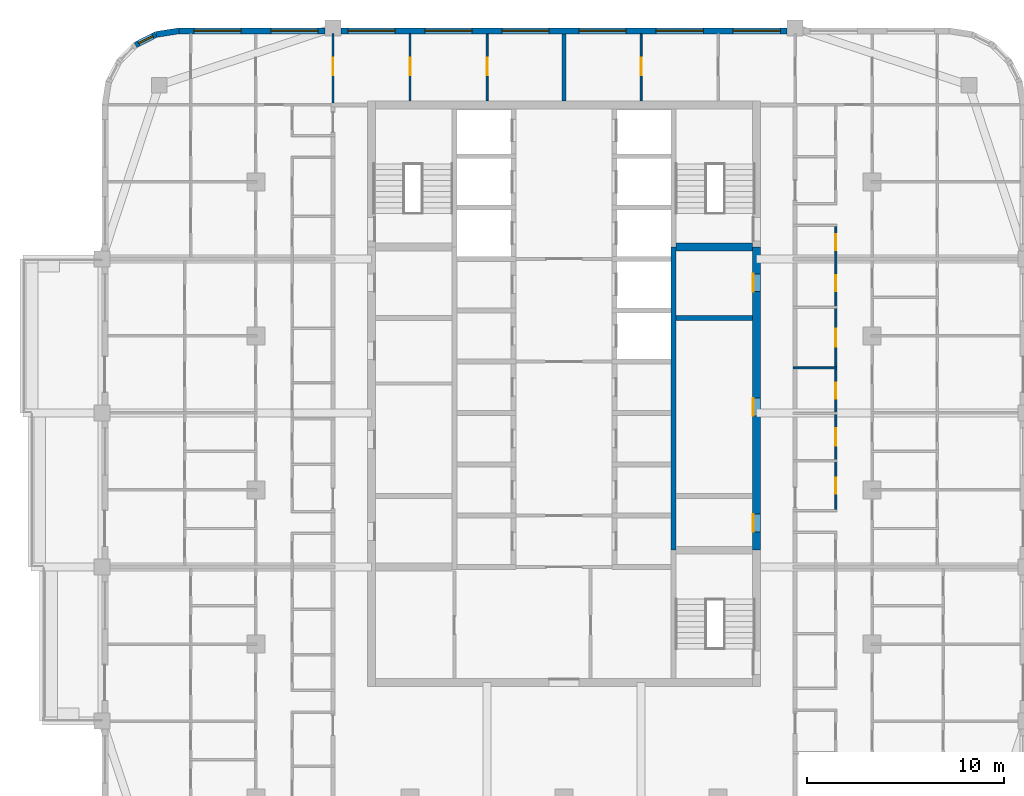
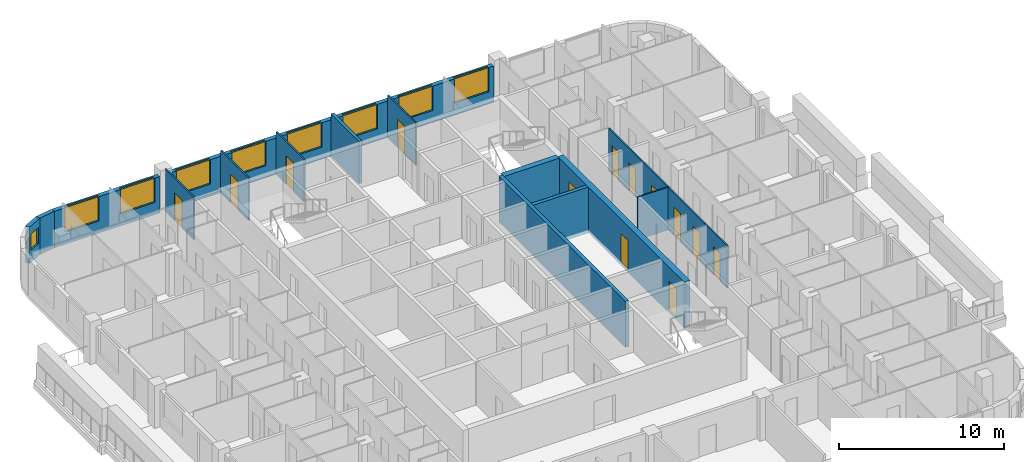
# One storey, part 10 of 16: 15 walls, 13 doors, 9 windows, 22 openings.
"""IFC4 building model written with IfcOpenShell, lengths in metres."""

from ifc_helpers import new_model, si_unit, direction, frame, frame_2d, origin, place, context, subcontext, project, spatial, rectangle, extrude, material, layer, layer_set, type_object, element, fill, save


model = new_model("IFC4")

# Units and contexts
model_context = context("Model", 3, precision=1e-05, world=origin(), true_north=direction((0.0, 1.0)))
body_context = subcontext(model_context, "Body", "Model", "MODEL_VIEW")
ifc_project = project(units=[si_unit("LENGTHUNIT", "METRE"), si_unit("AREAUNIT", "SQUARE_METRE"), si_unit("VOLUMEUNIT", "CUBIC_METRE"), si_unit("PLANEANGLEUNIT", "RADIAN"), si_unit("MASSUNIT", "GRAM", prefix="KILO")], contexts=[model_context])

# Site, building, storey
site_placement = place(None, origin())
site = spatial("IfcSite", under=ifc_project, at=site_placement, CompositionType="ELEMENT")
building_placement = place(site_placement, origin())
building = spatial("IfcBuilding", under=site, at=building_placement, Name="Ludao Terraces", CompositionType="ELEMENT")
storey_placement = place(building_placement, frame((0.0, 0.0, 234.699951171875)))
storey = spatial("IfcBuildingStorey", under=building, at=storey_placement, Name="L64", CompositionType="ELEMENT", Elevation=234.699951171875)

# Wall, openings, doors
ifc_material_1 = material(Name="Concrete C50", Category="concrete")
ifc_layer_1 = layer(ifc_material_1, 0.39990234375)
ifc_layer_set_1 = layer_set([ifc_layer_1], Name="Core wall 400 C50")
wall_type_1 = type_object("IfcWallType", Name="Core wall 400 C50", PredefinedType="SOLIDWALL", material=ifc_layer_set_1)
wall_1_placement = place(storey_placement, frame((94.75, 61.949951171875, -0.25), z_axis=(0.0, 0.0, 1.0), x_axis=(0.0, 1.0, 0.0)))
wall_1 = element("IfcWall", 1, at=wall_1_placement, inside=storey, type_object=wall_type_1, Name="Core wall L64 outer-E", PredefinedType="SOLIDWALL", context=body_context, shape_type="SweptSolid", body=[
    extrude(rectangle(XDim=15.35009765625, YDim=0.39990234375, at=frame_2d((7.675048828125, 0.0))), origin(), (0.0, 0.0, 1.0), 3.400146484375),
])
opening_1_placement = place(wall_1_placement, frame((0.925048828125, 0.0, 0.25)))
opening_1 = element("IfcOpeningElement", 2, at=opening_1_placement, cuts=wall_1, Name="Opening R23-059", PredefinedType="OPENING", context=body_context, shape_type="SweptSolid", body=[
    extrude(rectangle(XDim=0.89990234375, YDim=2.10009765625, at=frame_2d((0.449951171875, 1.050048828125))), frame((0.0, 0.2099609375, 0.0), z_axis=(0.0, -1.0, 0.0), x_axis=(1.0, 0.0, 0.0)), (0.0, 0.0, 1.0), 0.419921875),
])
opening_2_placement = place(wall_1_placement, frame((6.800048828125, 0.0, 0.25)))
opening_2 = element("IfcOpeningElement", 3, at=opening_2_placement, cuts=wall_1, Name="Opening R23-082", PredefinedType="OPENING", context=body_context, shape_type="SweptSolid", body=[
    extrude(rectangle(XDim=0.89990234375, YDim=2.10009765625, at=frame_2d((0.449951171875, 1.050048828125))), frame((0.0, 0.2099609375, 0.0), z_axis=(0.0, -1.0, 0.0), x_axis=(1.0, 0.0, 0.0)), (0.0, 0.0, 1.0), 0.419921875),
])
opening_3_placement = place(wall_1_placement, frame((13.10009765625, 0.0, 0.25)))
opening_3 = element("IfcOpeningElement", 4, at=opening_3_placement, cuts=wall_1, Name="Opening R23-105", PredefinedType="OPENING", context=body_context, shape_type="SweptSolid", body=[
    extrude(rectangle(XDim=0.89990234375, YDim=2.10009765625, at=frame_2d((0.449951171875, 1.050048828125))), frame((0.0, 0.2099609375, 0.0), z_axis=(0.0, -1.0, 0.0), x_axis=(1.0, 0.0, 0.0)), (0.0, 0.0, 1.0), 0.419921875),
])
ifc_material_2 = material(Name="Steel Q235", Category="steel")
door_type_1 = type_object("IfcDoorType", Name="INT Riser door 900", OperationType="SINGLE_SWING_LEFT", PredefinedType="DOOR", material=ifc_material_2)
door_1_placement = place(opening_1_placement, origin())
door_1 = element("IfcDoor", 5, at=door_1_placement, inside=storey, type_object=door_type_1, Name="DOOR 059", OperationType="SINGLE_SWING_LEFT", OverallHeight=2.10009765625, OverallWidth=0.89990234375, PredefinedType="DOOR", context=body_context, shape_type="SweptSolid", body=[
    extrude(rectangle(XDim=0.89990234375, YDim=2.10009765625, at=frame_2d((0.449951171875, 1.050048828125))), frame((0.0, 0.18505859375, 0.0), z_axis=(0.0, -1.0, 0.0), x_axis=(1.0, 0.0, 0.0)), (0.0, 0.0, 1.0), 0.050048828125),
])
fill(opening_1, door_1)
door_2_placement = place(opening_3_placement, origin())
door_2 = element("IfcDoor", 6, at=door_2_placement, inside=storey, type_object=door_type_1, Name="DOOR 105", OperationType="SINGLE_SWING_RIGHT", OverallHeight=2.10009765625, OverallWidth=0.89990234375, PredefinedType="DOOR", context=body_context, shape_type="SweptSolid", body=[
    extrude(rectangle(XDim=0.89990234375, YDim=2.10009765625, at=frame_2d((0.449951171875, 1.050048828125))), frame((0.0, 0.18505859375, 0.0), z_axis=(0.0, -1.0, 0.0), x_axis=(1.0, 0.0, 0.0)), (0.0, 0.0, 1.0), 0.050048828125),
])
fill(opening_3, door_2)
ifc_material_3 = material(Name="Timber door leaf", Category="wood")
door_type_2 = type_object("IfcDoorType", Name="INT Room door 900", OperationType="SINGLE_SWING_LEFT", PredefinedType="DOOR", material=ifc_material_3)
door_3_placement = place(opening_2_placement, origin())
door_3 = element("IfcDoor", 7, at=door_3_placement, inside=storey, type_object=door_type_2, Name="DOOR 082", OperationType="SINGLE_SWING_LEFT", OverallHeight=2.10009765625, OverallWidth=0.89990234375, PredefinedType="DOOR", context=body_context, shape_type="SweptSolid", body=[
    extrude(rectangle(XDim=0.89990234375, YDim=2.10009765625, at=frame_2d((0.449951171875, 1.050048828125))), frame((0.0, 0.18505859375, 0.0), z_axis=(0.0, -1.0, 0.0), x_axis=(1.0, 0.0, 0.0)), (0.0, 0.0, 1.0), 0.050048828125),
])
fill(opening_2, door_3)

# Wall, openings, windows
ifc_material_4 = material(Name="Granite cladding", Category="masonry")
ifc_layer_2 = layer(ifc_material_4, 0.0400390625, Category="stone")
ifc_material_5 = material(Name="Mineral wool")
ifc_layer_3 = layer(ifc_material_5, 0.06005859375)
ifc_material_6 = material(Name="Concrete C40", Category="concrete")
ifc_layer_4 = layer(ifc_material_6, 0.199951171875, Category="concrete")
ifc_layer_set_2 = layer_set([ifc_layer_2, ifc_layer_3, ifc_layer_4], Name="ENV Stone-clad wall 300")
wall_type_2 = type_object("IfcWallType", Name="ENV Stone-clad wall 300", PredefinedType="SOLIDWALL", material=ifc_layer_set_2)
wall_2_placement = place(storey_placement, frame((65.5, 88.25, 0.0), z_axis=(0.0, 0.0, 1.0), x_axis=(1.0, 0.0, 0.0)))
wall_2 = element("IfcWall", 8, at=wall_2_placement, inside=storey, type_object=wall_type_2, Name="EW-L64-N1", PredefinedType="SOLIDWALL", context=body_context, shape_type="SweptSolid", body=[
    extrude(rectangle(XDim=7.39990234375, YDim=0.300048828125, at=frame_2d((3.699951171875, 0.0))), origin(), (0.0, 0.0, 1.0), 2.699951171875),
])
opening_4_placement = place(wall_2_placement, frame((0.75, 0.0, 0.89990234375)))
opening_4 = element("IfcOpeningElement", 9, at=opening_4_placement, cuts=wall_2, Name="Opening W1", PredefinedType="OPENING", context=body_context, shape_type="SweptSolid", body=[
    extrude(rectangle(XDim=2.39990234375, YDim=1.800048828125, at=frame_2d((1.199951171875, 0.89990234375))), frame((0.0, 0.16015625, 0.0), z_axis=(0.0, -1.0, 0.0), x_axis=(1.0, 0.0, 0.0)), (0.0, 0.0, 1.0), 0.320068359375),
])
opening_5_placement = place(wall_2_placement, frame((4.64990234375, 0.0, 0.89990234375)))
opening_5 = element("IfcOpeningElement", 10, at=opening_5_placement, cuts=wall_2, Name="Opening W1", PredefinedType="OPENING", context=body_context, shape_type="SweptSolid", body=[
    extrude(rectangle(XDim=2.39990234375, YDim=1.800048828125, at=frame_2d((1.199951171875, 0.89990234375))), frame((0.0, 0.16015625, 0.0), z_axis=(0.0, -1.0, 0.0), x_axis=(1.0, 0.0, 0.0)), (0.0, 0.0, 1.0), 0.320068359375),
])
ifc_material_7 = material(Name="Clear glass in aluminium frame", Category="aluminium")
ifc_layer_5 = layer(ifc_material_7, 0.06005859375)
ifc_layer_set_3 = layer_set([ifc_layer_5], Name="ENV Window W1 2400x1800")
window_type_1 = type_object("IfcWindowType", Name="ENV Window W1 2400x1800", PartitioningType="DOUBLE_PANEL_VERTICAL", PredefinedType="WINDOW", material=ifc_layer_set_3)
window_1_placement = place(opening_4_placement, origin())
window_1 = element("IfcWindow", 11, at=window_1_placement, inside=storey, type_object=window_type_1, Name="W-L64-N1-1", OverallHeight=1.800048828125, OverallWidth=2.39990234375, PartitioningType="DOUBLE_PANEL_VERTICAL", PredefinedType="WINDOW", context=body_context, shape_type="SweptSolid", body=[
    extrude(rectangle(XDim=2.39990234375, YDim=1.800048828125, at=frame_2d((1.199951171875, 0.89990234375))), frame((0.0, 0.030029296875, 0.0), z_axis=(0.0, -1.0, 0.0), x_axis=(1.0, 0.0, 0.0)), (0.0, 0.0, 1.0), 0.06005859375),
])
fill(opening_4, window_1)
window_2_placement = place(opening_5_placement, origin())
window_2 = element("IfcWindow", 12, at=window_2_placement, inside=storey, type_object=window_type_1, Name="W-L64-N1-2", OverallHeight=1.800048828125, OverallWidth=2.39990234375, PartitioningType="DOUBLE_PANEL_VERTICAL", PredefinedType="WINDOW", context=body_context, shape_type="SweptSolid", body=[
    extrude(rectangle(XDim=2.39990234375, YDim=1.800048828125, at=frame_2d((1.199951171875, 0.89990234375))), frame((0.0, 0.030029296875, 0.0), z_axis=(0.0, -1.0, 0.0), x_axis=(1.0, 0.0, 0.0)), (0.0, 0.0, 1.0), 0.06005859375),
])
fill(opening_5, window_2)

wall_3_placement = place(storey_placement, frame((73.699951171875, 88.25, 0.0), z_axis=(0.0, 0.0, 1.0), x_axis=(1.0, 0.0, 0.0)))
wall_3 = element("IfcWall", 13, at=wall_3_placement, inside=storey, type_object=wall_type_2, Name="EW-L64-N2", PredefinedType="SOLIDWALL", context=body_context, shape_type="SweptSolid", body=[
    extrude(rectangle(XDim=22.60009765625, YDim=0.300048828125, at=frame_2d((11.300048828125, 0.0))), origin(), (0.0, 0.0, 1.0), 2.699951171875),
])
opening_6_placement = place(wall_3_placement, frame((0.35009765625, 0.0, 0.89990234375)))
opening_6 = element("IfcOpeningElement", 14, at=opening_6_placement, cuts=wall_3, Name="Opening W1", PredefinedType="OPENING", context=body_context, shape_type="SweptSolid", body=[
    extrude(rectangle(XDim=2.39990234375, YDim=1.800048828125, at=frame_2d((1.199951171875, 0.89990234375))), frame((0.0, 0.16015625, 0.0), z_axis=(0.0, -1.0, 0.0), x_axis=(1.0, 0.0, 0.0)), (0.0, 0.0, 1.0), 0.320068359375),
])
opening_7_placement = place(wall_3_placement, frame((4.25, 0.0, 0.89990234375)))
opening_7 = element("IfcOpeningElement", 15, at=opening_7_placement, cuts=wall_3, Name="Opening W1", PredefinedType="OPENING", context=body_context, shape_type="SweptSolid", body=[
    extrude(rectangle(XDim=2.39990234375, YDim=1.800048828125, at=frame_2d((1.199951171875, 0.89990234375))), frame((0.0, 0.16015625, 0.0), z_axis=(0.0, -1.0, 0.0), x_axis=(1.0, 0.0, 0.0)), (0.0, 0.0, 1.0), 0.320068359375),
])
opening_8_placement = place(wall_3_placement, frame((8.14990234375, 0.0, 0.89990234375)))
opening_8 = element("IfcOpeningElement", 16, at=opening_8_placement, cuts=wall_3, Name="Opening W1", PredefinedType="OPENING", context=body_context, shape_type="SweptSolid", body=[
    extrude(rectangle(XDim=2.39990234375, YDim=1.800048828125, at=frame_2d((1.199951171875, 0.89990234375))), frame((0.0, 0.16015625, 0.0), z_axis=(0.0, -1.0, 0.0), x_axis=(1.0, 0.0, 0.0)), (0.0, 0.0, 1.0), 0.320068359375),
])
opening_9_placement = place(wall_3_placement, frame((12.050048828125, 0.0, 0.89990234375)))
opening_9 = element("IfcOpeningElement", 17, at=opening_9_placement, cuts=wall_3, Name="Opening W1", PredefinedType="OPENING", context=body_context, shape_type="SweptSolid", body=[
    extrude(rectangle(XDim=2.39990234375, YDim=1.800048828125, at=frame_2d((1.199951171875, 0.89990234375))), frame((0.0, 0.16015625, 0.0), z_axis=(0.0, -1.0, 0.0), x_axis=(1.0, 0.0, 0.0)), (0.0, 0.0, 1.0), 0.320068359375),
])
opening_10_placement = place(wall_3_placement, frame((15.949951171875, 0.0, 0.89990234375)))
opening_10 = element("IfcOpeningElement", 18, at=opening_10_placement, cuts=wall_3, Name="Opening W1", PredefinedType="OPENING", context=body_context, shape_type="SweptSolid", body=[
    extrude(rectangle(XDim=2.39990234375, YDim=1.800048828125, at=frame_2d((1.199951171875, 0.89990234375))), frame((0.0, 0.16015625, 0.0), z_axis=(0.0, -1.0, 0.0), x_axis=(1.0, 0.0, 0.0)), (0.0, 0.0, 1.0), 0.320068359375),
])
opening_11_placement = place(wall_3_placement, frame((19.85009765625, 0.0, 0.89990234375)))
opening_11 = element("IfcOpeningElement", 19, at=opening_11_placement, cuts=wall_3, Name="Opening W1", PredefinedType="OPENING", context=body_context, shape_type="SweptSolid", body=[
    extrude(rectangle(XDim=2.39990234375, YDim=1.800048828125, at=frame_2d((1.199951171875, 0.89990234375))), frame((0.0, 0.16015625, 0.0), z_axis=(0.0, -1.0, 0.0), x_axis=(1.0, 0.0, 0.0)), (0.0, 0.0, 1.0), 0.320068359375),
])
window_3_placement = place(opening_6_placement, origin())
window_3 = element("IfcWindow", 20, at=window_3_placement, inside=storey, type_object=window_type_1, Name="W-L64-N2-1", OverallHeight=1.800048828125, OverallWidth=2.39990234375, PartitioningType="DOUBLE_PANEL_VERTICAL", PredefinedType="WINDOW", context=body_context, shape_type="SweptSolid", body=[
    extrude(rectangle(XDim=2.39990234375, YDim=1.800048828125, at=frame_2d((1.199951171875, 0.89990234375))), frame((0.0, 0.030029296875, 0.0), z_axis=(0.0, -1.0, 0.0), x_axis=(1.0, 0.0, 0.0)), (0.0, 0.0, 1.0), 0.06005859375),
])
fill(opening_6, window_3)
window_4_placement = place(opening_7_placement, origin())
window_4 = element("IfcWindow", 21, at=window_4_placement, inside=storey, type_object=window_type_1, Name="W-L64-N2-2", OverallHeight=1.800048828125, OverallWidth=2.39990234375, PartitioningType="DOUBLE_PANEL_VERTICAL", PredefinedType="WINDOW", context=body_context, shape_type="SweptSolid", body=[
    extrude(rectangle(XDim=2.39990234375, YDim=1.800048828125, at=frame_2d((1.199951171875, 0.89990234375))), frame((0.0, 0.030029296875, 0.0), z_axis=(0.0, -1.0, 0.0), x_axis=(1.0, 0.0, 0.0)), (0.0, 0.0, 1.0), 0.06005859375),
])
fill(opening_7, window_4)
window_5_placement = place(opening_8_placement, origin())
window_5 = element("IfcWindow", 22, at=window_5_placement, inside=storey, type_object=window_type_1, Name="W-L64-N2-3", OverallHeight=1.800048828125, OverallWidth=2.39990234375, PartitioningType="DOUBLE_PANEL_VERTICAL", PredefinedType="WINDOW", context=body_context, shape_type="SweptSolid", body=[
    extrude(rectangle(XDim=2.39990234375, YDim=1.800048828125, at=frame_2d((1.199951171875, 0.89990234375))), frame((0.0, 0.030029296875, 0.0), z_axis=(0.0, -1.0, 0.0), x_axis=(1.0, 0.0, 0.0)), (0.0, 0.0, 1.0), 0.06005859375),
])
fill(opening_8, window_5)
window_6_placement = place(opening_9_placement, origin())
window_6 = element("IfcWindow", 23, at=window_6_placement, inside=storey, type_object=window_type_1, Name="W-L64-N2-4", OverallHeight=1.800048828125, OverallWidth=2.39990234375, PartitioningType="DOUBLE_PANEL_VERTICAL", PredefinedType="WINDOW", context=body_context, shape_type="SweptSolid", body=[
    extrude(rectangle(XDim=2.39990234375, YDim=1.800048828125, at=frame_2d((1.199951171875, 0.89990234375))), frame((0.0, 0.030029296875, 0.0), z_axis=(0.0, -1.0, 0.0), x_axis=(1.0, 0.0, 0.0)), (0.0, 0.0, 1.0), 0.06005859375),
])
fill(opening_9, window_6)
window_7_placement = place(opening_10_placement, origin())
window_7 = element("IfcWindow", 24, at=window_7_placement, inside=storey, type_object=window_type_1, Name="W-L64-N2-5", OverallHeight=1.800048828125, OverallWidth=2.39990234375, PartitioningType="DOUBLE_PANEL_VERTICAL", PredefinedType="WINDOW", context=body_context, shape_type="SweptSolid", body=[
    extrude(rectangle(XDim=2.39990234375, YDim=1.800048828125, at=frame_2d((1.199951171875, 0.89990234375))), frame((0.0, 0.030029296875, 0.0), z_axis=(0.0, -1.0, 0.0), x_axis=(1.0, 0.0, 0.0)), (0.0, 0.0, 1.0), 0.06005859375),
])
fill(opening_10, window_7)
window_8_placement = place(opening_11_placement, origin())
window_8 = element("IfcWindow", 25, at=window_8_placement, inside=storey, type_object=window_type_1, Name="W-L64-N2-6", OverallHeight=1.800048828125, OverallWidth=2.39990234375, PartitioningType="DOUBLE_PANEL_VERTICAL", PredefinedType="WINDOW", context=body_context, shape_type="SweptSolid", body=[
    extrude(rectangle(XDim=2.39990234375, YDim=1.800048828125, at=frame_2d((1.199951171875, 0.89990234375))), frame((0.0, 0.030029296875, 0.0), z_axis=(0.0, -1.0, 0.0), x_axis=(1.0, 0.0, 0.0)), (0.0, 0.0, 1.0), 0.06005859375),
])
fill(opening_11, window_8)

# Wall
wall_4_placement = place(storey_placement, frame((65.5, 88.25, 0.0), z_axis=(0.0, 0.0, 1.0), x_axis=(-0.987678452879, -0.156496880861, 0.0)))
element("IfcWall", 26, at=wall_4_placement, inside=storey, type_object=wall_type_2, Name="EW-L64-NW1", PredefinedType="SOLIDWALL", context=body_context, shape_type="SweptSolid", body=[
    extrude(rectangle(XDim=1.173095703125, YDim=0.300048828125, at=frame_2d((0.58642578125, 0.0))), origin(), (0.0, 0.0, 1.0), 2.699951171875),
])

# Wall, opening, window
wall_5_placement = place(storey_placement, frame((64.34130859375, 88.06640625, 0.0), z_axis=(0.0, 0.0, 1.0), x_axis=(-0.890988677504, -0.454025524128, 0.0)))
wall_5 = element("IfcWall", 27, at=wall_5_placement, inside=storey, type_object=wall_type_2, Name="EW-L64-NW2", PredefinedType="SOLIDWALL", context=body_context, shape_type="SweptSolid", body=[
    extrude(rectangle(XDim=1.17333984375, YDim=0.300048828125, at=frame_2d((0.586669921875, 0.0))), origin(), (0.0, 0.0, 1.0), 2.699951171875),
])
opening_12_placement = place(wall_5_placement, frame((0.1865234375, 0.0, 0.89990234375)))
opening_12 = element("IfcOpeningElement", 28, at=opening_12_placement, cuts=wall_5, Name="Opening W3", PredefinedType="OPENING", context=body_context, shape_type="SweptSolid", body=[
    extrude(rectangle(XDim=0.800048828125, YDim=1.199951171875, at=frame_2d((0.39990234375, 0.60009765625))), frame((0.0, 0.16015625, 0.0), z_axis=(0.0, -1.0, 0.0), x_axis=(1.0, 0.0, 0.0)), (0.0, 0.0, 1.0), 0.320068359375),
])
ifc_layer_6 = layer(ifc_material_7, 0.06005859375)
ifc_layer_set_4 = layer_set([ifc_layer_6], Name="ENV Window W3 800x1200")
window_type_2 = type_object("IfcWindowType", Name="ENV Window W3 800x1200", PartitioningType="SINGLE_PANEL", PredefinedType="WINDOW", material=ifc_layer_set_4)
window_9_placement = place(opening_12_placement, origin())
window_9 = element("IfcWindow", 29, at=window_9_placement, inside=storey, type_object=window_type_2, Name="W-L64-NW2", OverallHeight=1.199951171875, OverallWidth=0.800048828125, PartitioningType="SINGLE_PANEL", PredefinedType="WINDOW", context=body_context, shape_type="SweptSolid", body=[
    extrude(rectangle(XDim=0.800048828125, YDim=1.199951171875, at=frame_2d((0.39990234375, 0.60009765625))), frame((0.0, 0.030029296875, 0.0), z_axis=(0.0, -1.0, 0.0), x_axis=(1.0, 0.0, 0.0)), (0.0, 0.0, 1.0), 0.06005859375),
])
fill(opening_12, window_9)

# Wall
ifc_material_8 = material(Name="Gypsum plasterboard", Category="gypsum")
ifc_layer_7 = layer(ifc_material_8, 0.012451171875, Category="gypsum")
ifc_layer_8 = layer(ifc_material_5, 0.06005859375, Name="insulation")
ifc_layer_9 = layer(ifc_material_2, 0.014892578125, Name="stud")
ifc_layer_10 = layer(ifc_material_8, 0.012451171875, Category="gypsum")
ifc_layer_set_5 = layer_set([ifc_layer_7, ifc_layer_8, ifc_layer_9, ifc_layer_10], Name="INT Partition 100")
wall_type_3 = type_object("IfcWallType", Name="INT Partition 100", PredefinedType="PARTITIONING", material=ifc_layer_set_5)
wall_6_placement = place(storey_placement, frame((96.60009765625, 71.179931640625, 0.0), z_axis=(0.0, 0.0, 1.0), x_axis=(1.0, 0.0, 0.0)))
element("IfcWall", 30, at=wall_6_placement, inside=storey, type_object=wall_type_3, Name="PW-L64-PW049", PredefinedType="PARTITIONING", context=body_context, shape_type="SweptSolid", body=[
    extrude(rectangle(XDim=2.219970703125, YDim=0.10009765625, at=frame_2d((1.10986328125, 0.0))), origin(), (0.0, 0.0, 1.0), 3.150146484375),
])

# Wall, opening, door
wall_7_placement = place(storey_placement, frame((73.300048828125, 84.60009765625, 0.0), z_axis=(0.0, 0.0, 1.0), x_axis=(0.0, 1.0, 0.0)))
wall_7 = element("IfcWall", 31, at=wall_7_placement, inside=storey, type_object=wall_type_3, Name="PW-L64-PW081", PredefinedType="PARTITIONING", context=body_context, shape_type="SweptSolid", body=[
    extrude(rectangle(XDim=3.5, YDim=0.10009765625, at=frame_2d((1.75, 0.0))), origin(), (0.0, 0.0, 1.0), 3.150146484375),
])
opening_13_placement = place(wall_7_placement, frame((1.39990234375, 0.0, 0.0)))
opening_13 = element("IfcOpeningElement", 32, at=opening_13_placement, cuts=wall_7, Name="Opening R23-137", PredefinedType="OPENING", context=body_context, shape_type="SweptSolid", body=[
    extrude(rectangle(XDim=0.89990234375, YDim=2.10009765625, at=frame_2d((0.449951171875, 1.050048828125))), frame((0.0, 0.06005859375, 0.0), z_axis=(0.0, -1.0, 0.0), x_axis=(1.0, 0.0, 0.0)), (0.0, 0.0, 1.0), 0.1201171875),
])
door_4_placement = place(opening_13_placement, origin())
door_4 = element("IfcDoor", 33, at=door_4_placement, inside=storey, type_object=door_type_2, Name="DOOR 137", OperationType="SINGLE_SWING_LEFT", OverallHeight=2.10009765625, OverallWidth=0.89990234375, PredefinedType="DOOR", context=body_context, shape_type="SweptSolid", body=[
    extrude(rectangle(XDim=0.89990234375, YDim=2.10009765625, at=frame_2d((0.449951171875, 1.050048828125))), frame((0.0, 0.02490234375, 0.0), z_axis=(0.0, -1.0, 0.0), x_axis=(1.0, 0.0, 0.0)), (0.0, 0.0, 1.0), 0.050048828125),
])
fill(opening_13, door_4)

wall_8_placement = place(storey_placement, frame((77.199951171875, 84.7001953125, 0.0), z_axis=(0.0, 0.0, 1.0), x_axis=(0.0, 1.0, 0.0)))
wall_8 = element("IfcWall", 34, at=wall_8_placement, inside=storey, type_object=wall_type_3, Name="PW-L64-PW082", PredefinedType="PARTITIONING", context=body_context, shape_type="SweptSolid", body=[
    extrude(rectangle(XDim=3.39990234375, YDim=0.10009765625, at=frame_2d((1.699951171875, 0.0))), origin(), (0.0, 0.0, 1.0), 3.150146484375),
])
opening_14_placement = place(wall_8_placement, frame((1.2998046875, 0.0, 0.0)))
opening_14 = element("IfcOpeningElement", 35, at=opening_14_placement, cuts=wall_8, Name="Opening R23-138", PredefinedType="OPENING", context=body_context, shape_type="SweptSolid", body=[
    extrude(rectangle(XDim=0.89990234375, YDim=2.10009765625, at=frame_2d((0.449951171875, 1.050048828125))), frame((0.0, 0.06005859375, 0.0), z_axis=(0.0, -1.0, 0.0), x_axis=(1.0, 0.0, 0.0)), (0.0, 0.0, 1.0), 0.1201171875),
])
door_5_placement = place(opening_14_placement, origin())
door_5 = element("IfcDoor", 36, at=door_5_placement, inside=storey, type_object=door_type_2, Name="DOOR 138", OperationType="SINGLE_SWING_LEFT", OverallHeight=2.10009765625, OverallWidth=0.89990234375, PredefinedType="DOOR", context=body_context, shape_type="SweptSolid", body=[
    extrude(rectangle(XDim=0.89990234375, YDim=2.10009765625, at=frame_2d((0.449951171875, 1.050048828125))), frame((0.0, 0.02490234375, 0.0), z_axis=(0.0, -1.0, 0.0), x_axis=(1.0, 0.0, 0.0)), (0.0, 0.0, 1.0), 0.050048828125),
])
fill(opening_14, door_5)

wall_9_placement = place(storey_placement, frame((81.10009765625, 84.7001953125, 0.0), z_axis=(0.0, 0.0, 1.0), x_axis=(0.0, 1.0, 0.0)))
wall_9 = element("IfcWall", 37, at=wall_9_placement, inside=storey, type_object=wall_type_3, Name="PW-L64-PW085", PredefinedType="PARTITIONING", context=body_context, shape_type="SweptSolid", body=[
    extrude(rectangle(XDim=3.39990234375, YDim=0.10009765625, at=frame_2d((1.699951171875, 0.0))), origin(), (0.0, 0.0, 1.0), 3.150146484375),
])
opening_15_placement = place(wall_9_placement, frame((1.2998046875, 0.0, 0.0)))
opening_15 = element("IfcOpeningElement", 38, at=opening_15_placement, cuts=wall_9, Name="Opening R23-139", PredefinedType="OPENING", context=body_context, shape_type="SweptSolid", body=[
    extrude(rectangle(XDim=0.89990234375, YDim=2.10009765625, at=frame_2d((0.449951171875, 1.050048828125))), frame((0.0, 0.06005859375, 0.0), z_axis=(0.0, -1.0, 0.0), x_axis=(1.0, 0.0, 0.0)), (0.0, 0.0, 1.0), 0.1201171875),
])
door_6_placement = place(opening_15_placement, origin())
door_6 = element("IfcDoor", 39, at=door_6_placement, inside=storey, type_object=door_type_2, Name="DOOR 139", OperationType="SINGLE_SWING_LEFT", OverallHeight=2.10009765625, OverallWidth=0.89990234375, PredefinedType="DOOR", context=body_context, shape_type="SweptSolid", body=[
    extrude(rectangle(XDim=0.89990234375, YDim=2.10009765625, at=frame_2d((0.449951171875, 1.050048828125))), frame((0.0, 0.02490234375, 0.0), z_axis=(0.0, -1.0, 0.0), x_axis=(1.0, 0.0, 0.0)), (0.0, 0.0, 1.0), 0.050048828125),
])
fill(opening_15, door_6)

wall_10_placement = place(storey_placement, frame((88.89990234375, 84.7001953125, 0.0), z_axis=(0.0, 0.0, 1.0), x_axis=(0.0, 1.0, 0.0)))
wall_10 = element("IfcWall", 40, at=wall_10_placement, inside=storey, type_object=wall_type_3, Name="PW-L64-PW089", PredefinedType="PARTITIONING", context=body_context, shape_type="SweptSolid", body=[
    extrude(rectangle(XDim=3.39990234375, YDim=0.10009765625, at=frame_2d((1.699951171875, 0.0))), origin(), (0.0, 0.0, 1.0), 3.150146484375),
])
opening_16_placement = place(wall_10_placement, frame((1.2998046875, 0.0, 0.0)))
opening_16 = element("IfcOpeningElement", 41, at=opening_16_placement, cuts=wall_10, Name="Opening R23-140", PredefinedType="OPENING", context=body_context, shape_type="SweptSolid", body=[
    extrude(rectangle(XDim=0.89990234375, YDim=2.10009765625, at=frame_2d((0.449951171875, 1.050048828125))), frame((0.0, 0.06005859375, 0.0), z_axis=(0.0, -1.0, 0.0), x_axis=(1.0, 0.0, 0.0)), (0.0, 0.0, 1.0), 0.1201171875),
])
door_7_placement = place(opening_16_placement, origin())
door_7 = element("IfcDoor", 42, at=door_7_placement, inside=storey, type_object=door_type_2, Name="DOOR 140", OperationType="SINGLE_SWING_RIGHT", OverallHeight=2.10009765625, OverallWidth=0.89990234375, PredefinedType="DOOR", context=body_context, shape_type="SweptSolid", body=[
    extrude(rectangle(XDim=0.89990234375, YDim=2.10009765625, at=frame_2d((0.449951171875, 1.050048828125))), frame((0.0, 0.02490234375, 0.0), z_axis=(0.0, -1.0, 0.0), x_axis=(1.0, 0.0, 0.0)), (0.0, 0.0, 1.0), 0.050048828125),
])
fill(opening_16, door_7)

# Wall, openings, doors
wall_11_placement = place(storey_placement, frame((98.77001953125, 64.0, 0.0), z_axis=(0.0, 0.0, 1.0), x_axis=(0.0, 1.0, 0.0)))
wall_11 = element("IfcWall", 43, at=wall_11_placement, inside=storey, type_object=wall_type_3, Name="PW-L64-PW097", PredefinedType="PARTITIONING", context=body_context, shape_type="SweptSolid", body=[
    extrude(rectangle(XDim=14.35009765625, YDim=0.10009765625, at=frame_2d((7.175048828125, 0.0))), origin(), (0.0, 0.0, 1.0), 3.150146484375),
])
opening_17_placement = place(wall_11_placement, frame((0.815185546875, 0.0, 0.0)))
opening_17 = element("IfcOpeningElement", 44, at=opening_17_placement, cuts=wall_11, Name="Opening R23-070", PredefinedType="OPENING", context=body_context, shape_type="SweptSolid", body=[
    extrude(rectangle(XDim=0.800048828125, YDim=2.10009765625, at=frame_2d((0.39990234375, 1.050048828125))), frame((0.0, 0.06005859375, 0.0), z_axis=(0.0, -1.0, 0.0), x_axis=(1.0, 0.0, 0.0)), (0.0, 0.0, 1.0), 0.1201171875),
])
opening_18_placement = place(wall_11_placement, frame((3.22998046875, 0.0, 0.0)))
opening_18 = element("IfcOpeningElement", 45, at=opening_18_placement, cuts=wall_11, Name="Opening R23-077", PredefinedType="OPENING", context=body_context, shape_type="SweptSolid", body=[
    extrude(rectangle(XDim=0.89990234375, YDim=2.10009765625, at=frame_2d((0.449951171875, 1.050048828125))), frame((0.0, 0.06005859375, 0.0), z_axis=(0.0, -1.0, 0.0), x_axis=(1.0, 0.0, 0.0)), (0.0, 0.0, 1.0), 0.1201171875),
])
opening_19_placement = place(wall_11_placement, frame((5.630126953125, 0.0, 0.0)))
opening_19 = element("IfcOpeningElement", 46, at=opening_19_placement, cuts=wall_11, Name="Opening R23-084", PredefinedType="OPENING", context=body_context, shape_type="SweptSolid", body=[
    extrude(rectangle(XDim=0.800048828125, YDim=2.10009765625, at=frame_2d((0.39990234375, 1.050048828125))), frame((0.0, 0.06005859375, 0.0), z_axis=(0.0, -1.0, 0.0), x_axis=(1.0, 0.0, 0.0)), (0.0, 0.0, 1.0), 0.1201171875),
])
opening_20_placement = place(wall_11_placement, frame((8.26513671875, 0.0, 0.0)))
opening_20 = element("IfcOpeningElement", 47, at=opening_20_placement, cuts=wall_11, Name="Opening R23-094", PredefinedType="OPENING", context=body_context, shape_type="SweptSolid", body=[
    extrude(rectangle(XDim=0.89990234375, YDim=2.10009765625, at=frame_2d((0.449951171875, 1.050048828125))), frame((0.0, 0.06005859375, 0.0), z_axis=(0.0, -1.0, 0.0), x_axis=(1.0, 0.0, 0.0)), (0.0, 0.0, 1.0), 0.1201171875),
])
opening_21_placement = place(wall_11_placement, frame((11.0751953125, 0.0, 0.0)))
opening_21 = element("IfcOpeningElement", 48, at=opening_21_placement, cuts=wall_11, Name="Opening R23-103", PredefinedType="OPENING", context=body_context, shape_type="SweptSolid", body=[
    extrude(rectangle(XDim=0.800048828125, YDim=2.10009765625, at=frame_2d((0.39990234375, 1.050048828125))), frame((0.0, 0.06005859375, 0.0), z_axis=(0.0, -1.0, 0.0), x_axis=(1.0, 0.0, 0.0)), (0.0, 0.0, 1.0), 0.1201171875),
])
opening_22_placement = place(wall_11_placement, frame((13.150146484375, 0.0, 0.0)))
opening_22 = element("IfcOpeningElement", 49, at=opening_22_placement, cuts=wall_11, Name="Opening R23-109", PredefinedType="OPENING", context=body_context, shape_type="SweptSolid", body=[
    extrude(rectangle(XDim=0.800048828125, YDim=2.10009765625, at=frame_2d((0.39990234375, 1.050048828125))), frame((0.0, 0.06005859375, 0.0), z_axis=(0.0, -1.0, 0.0), x_axis=(1.0, 0.0, 0.0)), (0.0, 0.0, 1.0), 0.1201171875),
])
door_type_3 = type_object("IfcDoorType", Name="INT Bathroom door 900", OperationType="SINGLE_SWING_LEFT", PredefinedType="DOOR", material=ifc_material_3)
door_8_placement = place(opening_18_placement, origin())
door_8 = element("IfcDoor", 50, at=door_8_placement, inside=storey, type_object=door_type_3, Name="DOOR 077", OperationType="SINGLE_SWING_LEFT", OverallHeight=2.10009765625, OverallWidth=0.89990234375, PredefinedType="DOOR", context=body_context, shape_type="SweptSolid", body=[
    extrude(rectangle(XDim=0.89990234375, YDim=2.10009765625, at=frame_2d((0.449951171875, 1.050048828125))), frame((0.0, 0.02490234375, 0.0), z_axis=(0.0, -1.0, 0.0), x_axis=(1.0, 0.0, 0.0)), (0.0, 0.0, 1.0), 0.050048828125),
])
fill(opening_18, door_8)
door_9_placement = place(opening_20_placement, origin())
door_9 = element("IfcDoor", 51, at=door_9_placement, inside=storey, type_object=door_type_2, Name="DOOR 094", OperationType="SINGLE_SWING_LEFT", OverallHeight=2.10009765625, OverallWidth=0.89990234375, PredefinedType="DOOR", context=body_context, shape_type="SweptSolid", body=[
    extrude(rectangle(XDim=0.89990234375, YDim=2.10009765625, at=frame_2d((0.449951171875, 1.050048828125))), frame((0.0, 0.02490234375, 0.0), z_axis=(0.0, -1.0, 0.0), x_axis=(1.0, 0.0, 0.0)), (0.0, 0.0, 1.0), 0.050048828125),
])
fill(opening_20, door_9)
door_type_4 = type_object("IfcDoorType", Name="INT Store door 800", OperationType="SINGLE_SWING_LEFT", PredefinedType="DOOR", material=ifc_material_3)
door_10_placement = place(opening_17_placement, origin())
door_10 = element("IfcDoor", 52, at=door_10_placement, inside=storey, type_object=door_type_4, Name="DOOR 070", OperationType="SINGLE_SWING_LEFT", OverallHeight=2.10009765625, OverallWidth=0.800048828125, PredefinedType="DOOR", context=body_context, shape_type="SweptSolid", body=[
    extrude(rectangle(XDim=0.800048828125, YDim=2.10009765625, at=frame_2d((0.39990234375, 1.050048828125))), frame((0.0, 0.02490234375, 0.0), z_axis=(0.0, -1.0, 0.0), x_axis=(1.0, 0.0, 0.0)), (0.0, 0.0, 1.0), 0.050048828125),
])
fill(opening_17, door_10)
door_11_placement = place(opening_19_placement, origin())
door_11 = element("IfcDoor", 53, at=door_11_placement, inside=storey, type_object=door_type_4, Name="DOOR 084", OperationType="SINGLE_SWING_LEFT", OverallHeight=2.10009765625, OverallWidth=0.800048828125, PredefinedType="DOOR", context=body_context, shape_type="SweptSolid", body=[
    extrude(rectangle(XDim=0.800048828125, YDim=2.10009765625, at=frame_2d((0.39990234375, 1.050048828125))), frame((0.0, 0.02490234375, 0.0), z_axis=(0.0, -1.0, 0.0), x_axis=(1.0, 0.0, 0.0)), (0.0, 0.0, 1.0), 0.050048828125),
])
fill(opening_19, door_11)
door_12_placement = place(opening_21_placement, origin())
door_12 = element("IfcDoor", 54, at=door_12_placement, inside=storey, type_object=door_type_4, Name="DOOR 103", OperationType="SINGLE_SWING_RIGHT", OverallHeight=2.10009765625, OverallWidth=0.800048828125, PredefinedType="DOOR", context=body_context, shape_type="SweptSolid", body=[
    extrude(rectangle(XDim=0.800048828125, YDim=2.10009765625, at=frame_2d((0.39990234375, 1.050048828125))), frame((0.0, 0.02490234375, 0.0), z_axis=(0.0, -1.0, 0.0), x_axis=(1.0, 0.0, 0.0)), (0.0, 0.0, 1.0), 0.050048828125),
])
fill(opening_21, door_12)
door_13_placement = place(opening_22_placement, origin())
door_13 = element("IfcDoor", 55, at=door_13_placement, inside=storey, type_object=door_type_4, Name="DOOR 109", OperationType="SINGLE_SWING_LEFT", OverallHeight=2.10009765625, OverallWidth=0.800048828125, PredefinedType="DOOR", context=body_context, shape_type="SweptSolid", body=[
    extrude(rectangle(XDim=0.800048828125, YDim=2.10009765625, at=frame_2d((0.39990234375, 1.050048828125))), frame((0.0, 0.02490234375, 0.0), z_axis=(0.0, -1.0, 0.0), x_axis=(1.0, 0.0, 0.0)), (0.0, 0.0, 1.0), 0.050048828125),
])
fill(opening_22, door_13)

# Walls
ifc_material_9 = material(Name="Autoclaved aerated concrete block B06 A3.5", Category="concrete")
ifc_layer_11 = layer(ifc_material_9, 0.199951171875)
ifc_layer_set_6 = layer_set([ifc_layer_11], Name="INT Party wall 200")
wall_type_4 = type_object("IfcWallType", Name="INT Party wall 200", PredefinedType="PARTITIONING", material=ifc_layer_set_6)
wall_12_placement = place(storey_placement, frame((85.0, 84.7001953125, 0.0), z_axis=(0.0, 0.0, 1.0), x_axis=(0.0, 1.0, 0.0)))
element("IfcWall", 56, at=wall_12_placement, inside=storey, type_object=wall_type_4, Name="PW-L64-PW087", PredefinedType="PARTITIONING", context=body_context, shape_type="SweptSolid", body=[
    extrude(rectangle(XDim=3.39990234375, YDim=0.199951171875, at=frame_2d((1.699951171875, 0.0))), origin(), (0.0, 0.0, 1.0), 3.150146484375),
])
ifc_layer_12 = layer(ifc_material_1, 0.25)
ifc_layer_set_7 = layer_set([ifc_layer_12], Name="Shaft wall 250 C50")
wall_type_5 = type_object("IfcWallType", Name="Shaft wall 250 C50", PredefinedType="SOLIDWALL", material=ifc_layer_set_7)
wall_13_placement = place(storey_placement, frame((90.550048828125, 61.949951171875, -0.25), z_axis=(0.0, 0.0, 1.0), x_axis=(0.0, 1.0, 0.0)))
element("IfcWall", 57, at=wall_13_placement, inside=storey, type_object=wall_type_5, Name="Core wall L64 back-E", PredefinedType="SOLIDWALL", context=body_context, shape_type="SweptSolid", body=[
    extrude(rectangle(XDim=15.35009765625, YDim=0.25, at=frame_2d((7.675048828125, 0.0))), origin(), (0.0, 0.0, 1.0), 3.400146484375),
])
wall_14_placement = place(storey_placement, frame((90.675048828125, 73.699951171875, -0.25), z_axis=(0.0, 0.0, 1.0), x_axis=(1.0, 0.0, 0.0)))
element("IfcWall", 58, at=wall_14_placement, inside=storey, type_object=wall_type_5, Name="Core wall L64 riser-b-E", PredefinedType="SOLIDWALL", context=body_context, shape_type="SweptSolid", body=[
    extrude(rectangle(XDim=3.875, YDim=0.25, at=frame_2d((1.9375, 0.0))), origin(), (0.0, 0.0, 1.0), 3.400146484375),
])
ifc_layer_13 = layer(ifc_material_1, 0.39990234375)
ifc_layer_set_8 = layer_set([ifc_layer_13], Name="Shaft wall 400 C50")
wall_type_6 = type_object("IfcWallType", Name="Shaft wall 400 C50", PredefinedType="SOLIDWALL", material=ifc_layer_set_8)
wall_15_placement = place(storey_placement, frame((90.675048828125, 77.300048828125, -0.25), z_axis=(0.0, 0.0, 1.0), x_axis=(1.0, 0.0, 0.0)))
element("IfcWall", 59, at=wall_15_placement, inside=storey, type_object=wall_type_6, Name="Core wall L64 stair-E", PredefinedType="SOLIDWALL", context=body_context, shape_type="SweptSolid", body=[
    extrude(rectangle(XDim=3.875, YDim=0.39990234375, at=frame_2d((1.9375, 0.0))), origin(), (0.0, 0.0, 1.0), 3.400146484375),
])

save(model, "model.ifc")
